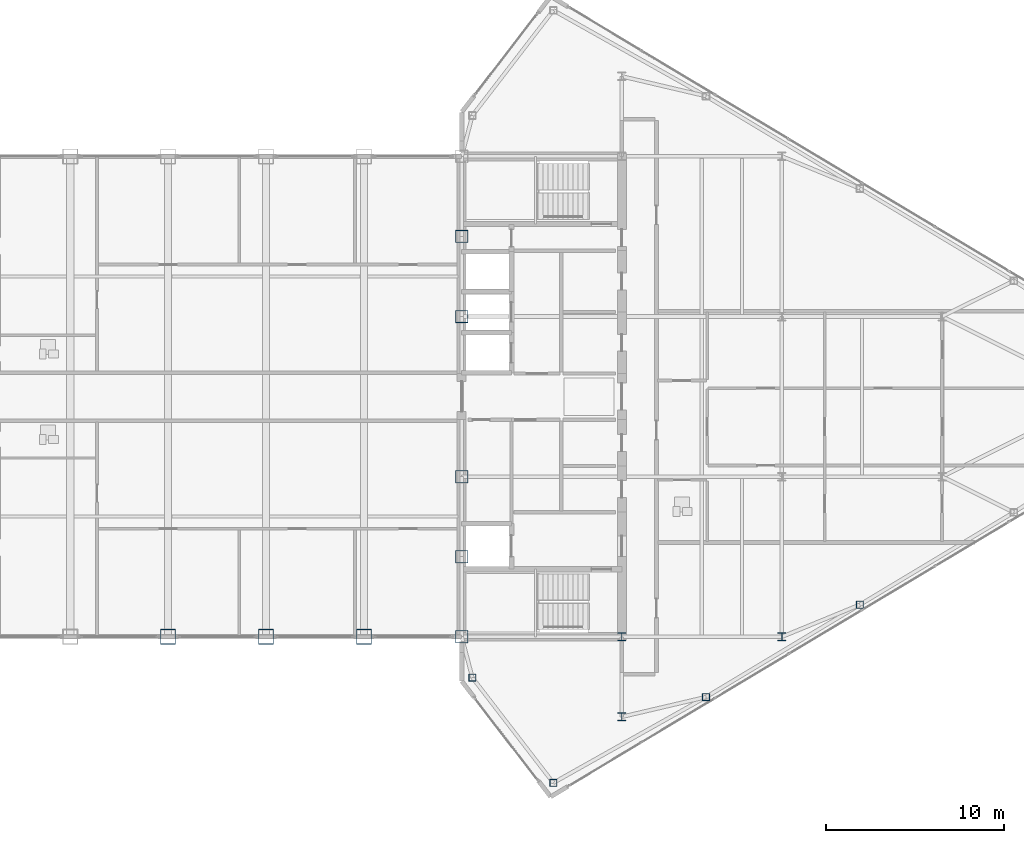
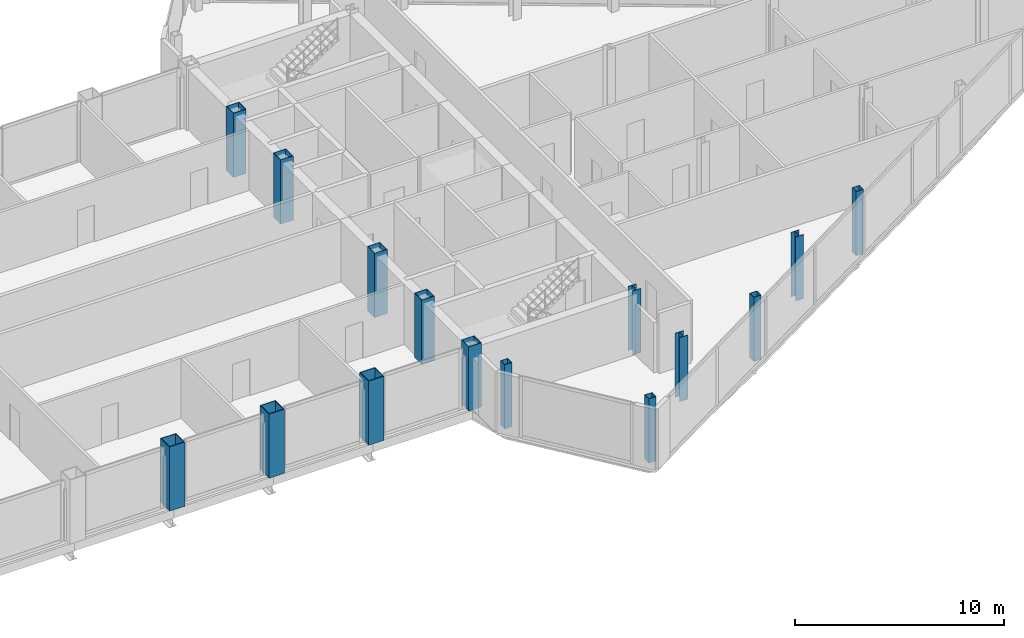
# One storey, part 4 of 29: 15 columns.
"""IFC4 building model written with IfcOpenShell, lengths in metres."""

from ifc_helpers import new_model, si_unit, direction, frame, origin, origin_2d, place, context, subcontext, project, spatial, hollow_rectangle, i_section, extrude, source, transform, mapped, material, material_profile, profile_set, type_object, type_shapes, element, save


model = new_model("IFC4")

# Units and contexts
model_context = context("Model", 3, precision=1e-05, world=origin(), true_north=direction((0.0, 1.0)))
body_context = subcontext(model_context, "Body", "Model", "MODEL_VIEW")
ifc_project = project(units=[si_unit("LENGTHUNIT", "METRE"), si_unit("AREAUNIT", "SQUARE_METRE"), si_unit("VOLUMEUNIT", "CUBIC_METRE"), si_unit("PLANEANGLEUNIT", "RADIAN"), si_unit("MASSUNIT", "GRAM", prefix="KILO")], contexts=[model_context])

# Site, building, storey
site_placement = place(None, origin())
site = spatial("IfcSite", under=ifc_project, at=site_placement, CompositionType="ELEMENT")
building_placement = place(site_placement, origin())
building = spatial("IfcBuilding", under=site, at=building_placement, Name="Seokmaru Belvedere", CompositionType="ELEMENT")
storey_placement = place(building_placement, frame((0.0, 0.0, 254.39990234375)))
storey = spatial("IfcBuildingStorey", under=building, at=storey_placement, Name="L67", CompositionType="ELEMENT", Elevation=254.39990234375)

# Columns
ifc_material_1 = material(Name="Steel SM355 (355 MPa)", Category="steel")
ifc_material_profile_1 = material_profile(ifc_material_1, hollow_rectangle(XDim=0.699951171875, YDim=0.699951171875, WallThickness=0.030029296875, at=origin_2d()), Name="BOX-700x700x30")
ifc_profile_set_1 = profile_set([ifc_material_profile_1], Name="Steel SM355 (355 MPa)")
column_type_1 = type_object("IfcColumnType", Name="Upper Spine Column BOX-700", PredefinedType="COLUMN", material=ifc_profile_set_1)
shared_shape_1 = source(origin(), body_context, "Body", "SweptSolid", [
    extrude(hollow_rectangle(XDim=0.699951171875, YDim=0.699951171875, WallThickness=0.030029296875, at=origin_2d()), origin(), (0.0, 0.0, 1.0), 3.75),
])
type_shapes(column_type_1, [shared_shape_1])
for number, where, z_axis, x_axis, name in (
    (1, (27.5, -13.5, 0.0), (0.0, 0.0, 1.0), (1.0, 0.0, 0.0), "L67 Column ES1"),
    (2, (27.5, -9.0, 0.0), (0.0, 0.0, 1.0), (1.0, 0.0, 0.0), "L67 Column ES2"),
    (3, (27.5, -4.5, 0.0), (0.0, 0.0, 1.0), (1.0, 0.0, 0.0), "L67 Column ES3"),
    (4, (27.5, 4.5, 0.0), (0.0, 0.0, 1.0), (1.0, 0.0, 0.0), "L67 Column ES4"),
    (5, (27.5, 9.0, 0.0), (0.0, 0.0, 1.0), (1.0, 0.0, 0.0), "L67 Column ES5"),
):
    element("IfcColumn", number, at=place(storey_placement, frame(where, z_axis=z_axis, x_axis=x_axis)), inside=storey, type_object=column_type_1, Name=name, PredefinedType="COLUMN", context=body_context, shape_type="MappedRepresentation", body=[
        mapped(shared_shape_1, transform((0.0, 0.0, 0.0), scale=1.0)),
    ])
ifc_material_profile_2 = material_profile(ifc_material_1, i_section(OverallWidth=0.449951171875, OverallDepth=0.449951171875, WebThickness=0.01611328125, FlangeThickness=0.02490234375, at=origin_2d()), Name="H-450x450x16x25")
ifc_profile_set_2 = profile_set([ifc_material_profile_2], Name="Steel SM355 (355 MPa)")
column_type_2 = type_object("IfcColumnType", Name="Sky-Gate Column H-450", PredefinedType="COLUMN", material=ifc_profile_set_2)
shared_shape_2 = source(origin(), body_context, "Body", "SweptSolid", [
    extrude(i_section(OverallWidth=0.449951171875, OverallDepth=0.449951171875, WebThickness=0.01611328125, FlangeThickness=0.02490234375, at=origin_2d()), origin(), (0.0, 0.0, 1.0), 3.75),
])
type_shapes(column_type_2, [shared_shape_2])
for number, where, z_axis, x_axis, name in (
    (6, (36.5, -18.0, 0.0), (0.0, 0.0, 1.0), (1.0, 0.0, 0.0), "L67 Column EC1"),
    (7, (36.5, -13.5, 0.0), (0.0, 0.0, 1.0), (1.0, 0.0, 0.0), "L67 Column EC2"),
    (8, (45.5, -13.5, 0.0), (0.0, 0.0, 1.0), (1.0, 0.0, 0.0), "L67 Column EG5_1"),
):
    element("IfcColumn", number, at=place(storey_placement, frame(where, z_axis=z_axis, x_axis=x_axis)), inside=storey, type_object=column_type_2, Name=name, PredefinedType="COLUMN", context=body_context, shape_type="MappedRepresentation", body=[
        mapped(shared_shape_2, transform((0.0, 0.0, 0.0), scale=1.0)),
    ])
ifc_material_profile_3 = material_profile(ifc_material_1, hollow_rectangle(XDim=0.39990234375, YDim=0.39990234375, WallThickness=0.01611328125, at=origin_2d()), Name="HSS-400x400x16")
ifc_profile_set_3 = profile_set([ifc_material_profile_3], Name="Steel SM355 (355 MPa)")
column_type_3 = type_object("IfcColumnType", Name="Perimeter Facet Column HSS-400", PredefinedType="COLUMN", material=ifc_profile_set_3)
shared_shape_3 = source(origin(), body_context, "Body", "SweptSolid", [
    extrude(hollow_rectangle(XDim=0.39990234375, YDim=0.39990234375, WallThickness=0.01611328125, at=origin_2d()), origin(), (0.0, 0.0, 1.0), 3.75),
])
type_shapes(column_type_3, [shared_shape_3])
for number, where, z_axis, x_axis, name in (
    (9, (32.649658203125, -21.71044921875, 0.0), (0.0, 0.0, 1.0), (1.0, 0.0, 0.0), "L67 Column EF1"),
    (10, (28.10009765625, -15.7958984375, 0.0), (0.0, 0.0, 1.0), (1.0, 0.0, 0.0), "L67 Column EF6"),
    (11, (41.229736328125, -16.888916015625, 0.0), (0.0, 0.0, 1.0), (1.0, 0.0, 0.0), "L67 Column EFLK_S1"),
    (12, (49.8798828125, -11.698974609375, 0.0), (0.0, 0.0, 1.0), (1.0, 0.0, 0.0), "L67 Column EFLK_S2"),
):
    element("IfcColumn", number, at=place(storey_placement, frame(where, z_axis=z_axis, x_axis=x_axis)), inside=storey, type_object=column_type_3, Name=name, PredefinedType="COLUMN", context=body_context, shape_type="MappedRepresentation", body=[
        mapped(shared_shape_3, transform((0.0, 0.0, 0.0), scale=1.0)),
    ])
ifc_material_2 = material(Name="Steel HSA650 (650 MPa)", Category="steel")
ifc_material_profile_4 = material_profile(ifc_material_2, hollow_rectangle(XDim=0.85009765625, YDim=0.85009765625, WallThickness=0.035888671875, at=origin_2d()), Name="BOX-850x850x36")
ifc_profile_set_4 = profile_set([ifc_material_profile_4], Name="Steel HSA650 (650 MPa)")
column_type_4 = type_object("IfcColumnType", Name="Portal Spine Column BOX-850", PredefinedType="COLUMN", material=ifc_profile_set_4)
shared_shape_4 = source(origin(), body_context, "Body", "SweptSolid", [
    extrude(hollow_rectangle(XDim=0.85009765625, YDim=0.85009765625, WallThickness=0.035888671875, at=origin_2d()), origin(), (0.0, 0.0, 1.0), 3.75),
])
type_shapes(column_type_4, [shared_shape_4])
for number, where, z_axis, x_axis, name in (
    (13, (11.0, -13.5, 0.0), (0.0, 0.0, 1.0), (1.0, 0.0, 0.0), "L67 Column BRS_7"),
    (14, (16.5, -13.5, 0.0), (0.0, 0.0, 1.0), (1.0, 0.0, 0.0), "L67 Column BRS_8"),
    (15, (22.0, -13.5, 0.0), (0.0, 0.0, 1.0), (1.0, 0.0, 0.0), "L67 Column BRS_9"),
):
    element("IfcColumn", number, at=place(storey_placement, frame(where, z_axis=z_axis, x_axis=x_axis)), inside=storey, type_object=column_type_4, Name=name, PredefinedType="COLUMN", context=body_context, shape_type="MappedRepresentation", body=[
        mapped(shared_shape_4, transform((0.0, 0.0, 0.0), scale=1.0)),
    ])

save(model, "model.ifc")
